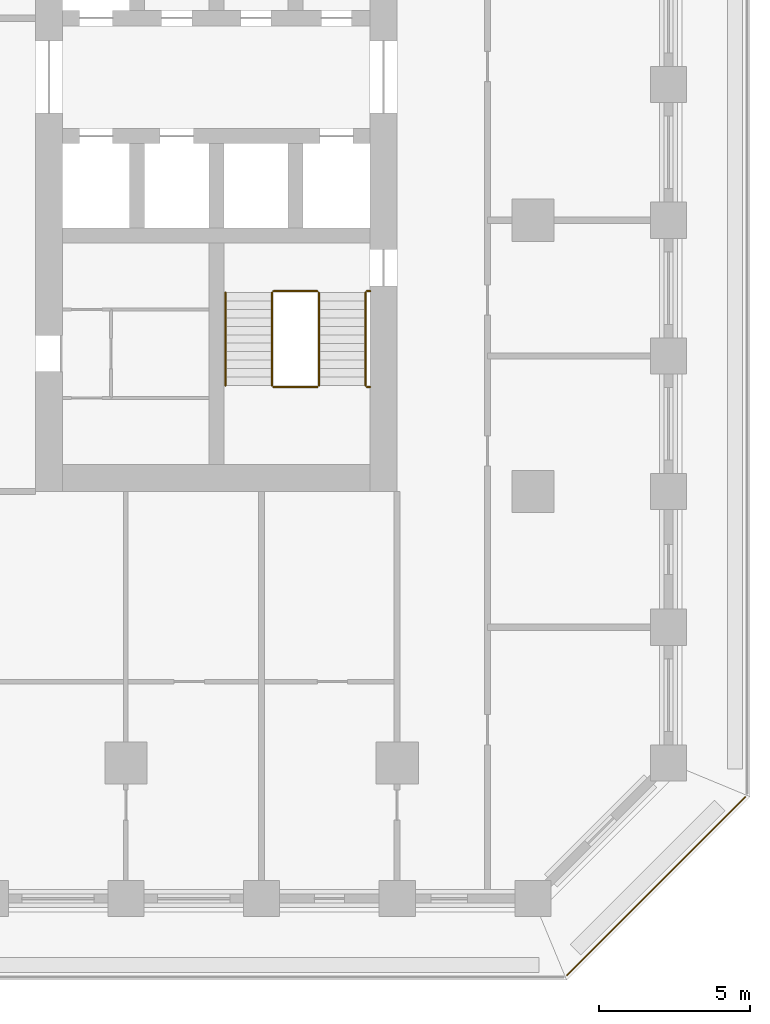
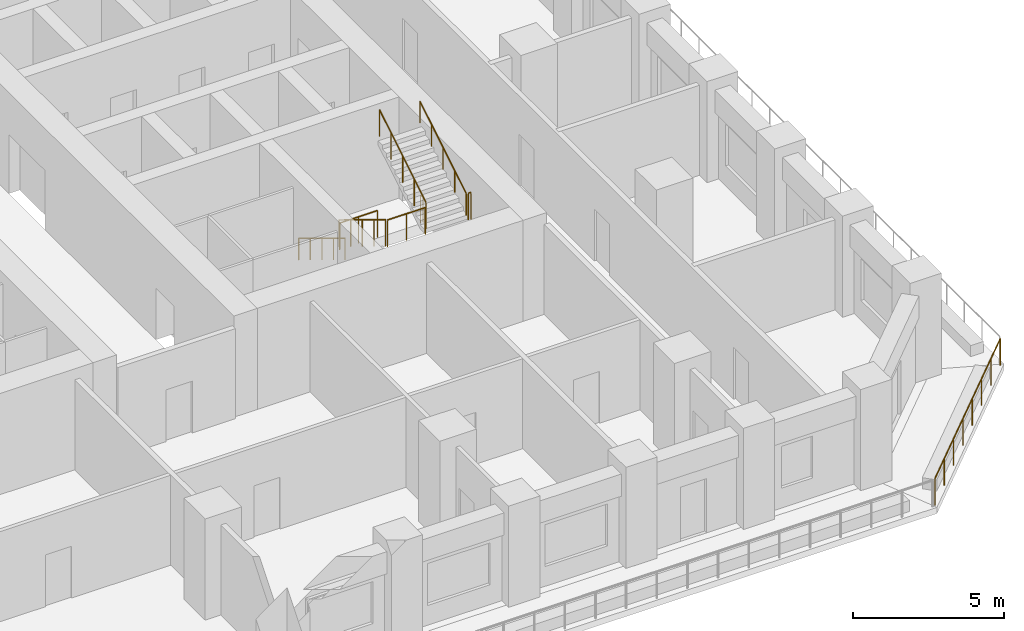
# One storey, part 11 of 16: 9 railings.
"""IFC4 building model written with IfcOpenShell, lengths in metres."""

from ifc_helpers import new_model, si_unit, direction, frame, origin, origin_2d, place, context, subcontext, project, spatial, circle, extrude, material, type_object, element, save


model = new_model("IFC4")

# Units and contexts
model_context = context("Model", 3, precision=1e-05, world=origin(), true_north=direction((0.0, 1.0)))
body_context = subcontext(model_context, "Body", "Model", "MODEL_VIEW")
ifc_project = project(units=[si_unit("LENGTHUNIT", "METRE"), si_unit("AREAUNIT", "SQUARE_METRE"), si_unit("VOLUMEUNIT", "CUBIC_METRE"), si_unit("PLANEANGLEUNIT", "RADIAN"), si_unit("MASSUNIT", "GRAM", prefix="KILO")], contexts=[model_context])

# Site, building, storey
site_placement = place(None, origin())
site = spatial("IfcSite", under=ifc_project, at=site_placement, CompositionType="ELEMENT")
building_placement = place(site_placement, origin())
building = spatial("IfcBuilding", under=site, at=building_placement, Name="Corbel Stack Research Tower", CompositionType="ELEMENT")
storey_placement = place(building_placement, frame((0.0, 0.0, 120.800048828125)))
storey = spatial("IfcBuildingStorey", under=building, at=storey_placement, Name="L27", CompositionType="ELEMENT", Elevation=120.800048828125)

# Railings
ifc_material_1 = material(Name="Steel S355", Category="steel")
railing_type_1 = type_object("IfcRailingType", Name="Stair guard 1100", PredefinedType="GUARDRAIL", material=ifc_material_1)
railing_1_placement = place(storey_placement, frame((13.85009765625, -2.39990234375, 0.1708984375)))
element("IfcRailing", 1, at=railing_1_placement, inside=storey, type_object=railing_type_1, Name="L27 ST-E1 stair guard 1", PredefinedType="GUARDRAIL", context=body_context, shape_type="SweptSolid", body=[
    extrude(circle(Radius=0.02392578125, at=origin_2d()), frame((0.0, 0.0, 1.076171875), z_axis=(0.0, -0.853666305674, 0.52082035152), x_axis=(1.0, 0.0, 0.0)), (0.0, 0.0, 1.0), 3.608154296875),
    extrude(circle(Radius=0.02099609375, at=origin_2d()), origin(), (0.0, 0.0, 1.0), 1.052001953125),
    extrude(circle(Radius=0.02099609375, at=origin_2d()), frame((0.0, -0.77001953125, 0.4697265625)), (0.0, 0.0, 1.0), 1.052001953125),
    extrude(circle(Radius=0.02099609375, at=origin_2d()), frame((0.0, -1.5400390625, 0.939453125)), (0.0, 0.0, 1.0), 1.052001953125),
    extrude(circle(Radius=0.02099609375, at=origin_2d()), frame((0.0, -2.31005859375, 1.409423828125)), (0.0, 0.0, 1.0), 1.052001953125),
    extrude(circle(Radius=0.02099609375, at=origin_2d()), frame((0.0, -3.080078125, 1.879150390625)), (0.0, 0.0, 1.0), 1.052001953125),
])
railing_2_placement = place(storey_placement, frame((13.89990234375, -5.530029296875, 2.050048828125)))
element("IfcRailing", 2, at=railing_2_placement, inside=storey, type_object=railing_type_1, Name="L27 ST-E1 stair guard 2", PredefinedType="GUARDRAIL", context=body_context, shape_type="SweptSolid", body=[
    extrude(circle(Radius=0.02392578125, at=origin_2d()), frame((0.0, 0.0, 1.076171875), z_axis=(1.0, 0.0, 0.0), x_axis=(0.0, 1.0, 0.0)), (0.0, 0.0, 1.0), 1.4501953125),
    extrude(circle(Radius=0.02099609375, at=origin_2d()), origin(), (0.0, 0.0, 1.0), 1.052001953125),
    extrude(circle(Radius=0.02099609375, at=origin_2d()), frame((0.72509765625, 0.0, 0.0)), (0.0, 0.0, 1.0), 1.052001953125),
    extrude(circle(Radius=0.02099609375, at=origin_2d()), frame((1.4501953125, 0.0, 0.0)), (0.0, 0.0, 1.0), 1.052001953125),
])
railing_3_placement = place(storey_placement, frame((17.0, -5.530029296875, 2.050048828125)))
element("IfcRailing", 3, at=railing_3_placement, inside=storey, type_object=railing_type_1, Name="L27 ST-E1 stair guard 3", PredefinedType="GUARDRAIL", context=body_context, shape_type="SweptSolid", body=[
    extrude(circle(Radius=0.02392578125, at=origin_2d()), frame((0.0, 0.0, 1.076171875), z_axis=(1.0, 0.0, 0.0), x_axis=(0.0, 1.0, 0.0)), (0.0, 0.0, 1.0), 0.10009765625),
    extrude(circle(Radius=0.02099609375, at=origin_2d()), origin(), (0.0, 0.0, 1.0), 1.052001953125),
    extrude(circle(Radius=0.02099609375, at=origin_2d()), frame((0.10009765625, 0.0, 0.0)), (0.0, 0.0, 1.0), 1.052001953125),
])
railing_4_placement = place(storey_placement, frame((15.39990234375, -5.47998046875, 2.220703125)))
element("IfcRailing", 4, at=railing_4_placement, inside=storey, type_object=railing_type_1, Name="L27 ST-E1 stair guard 4", PredefinedType="GUARDRAIL", context=body_context, shape_type="SweptSolid", body=[
    extrude(circle(Radius=0.02392578125, at=origin_2d()), frame((0.0, 0.0, 1.076171875), z_axis=(0.0, 0.853666305674, 0.52082035152), x_axis=(-1.0, 0.0, 0.0)), (0.0, 0.0, 1.0), 3.608154296875),
    extrude(circle(Radius=0.02099609375, at=origin_2d()), origin(), (0.0, 0.0, 1.0), 1.052001953125),
    extrude(circle(Radius=0.02099609375, at=origin_2d()), frame((0.0, 0.77001953125, 0.4697265625)), (0.0, 0.0, 1.0), 1.052001953125),
    extrude(circle(Radius=0.02099609375, at=origin_2d()), frame((0.0, 1.5400390625, 0.939453125)), (0.0, 0.0, 1.0), 1.052001953125),
    extrude(circle(Radius=0.02099609375, at=origin_2d()), frame((0.0, 2.31005859375, 1.409423828125)), (0.0, 0.0, 1.0), 1.052001953125),
    extrude(circle(Radius=0.02099609375, at=origin_2d()), frame((0.0, 3.080078125, 1.879150390625)), (0.0, 0.0, 1.0), 1.052001953125),
])
railing_5_placement = place(storey_placement, frame((13.89990234375, -2.35009765625, 0.0)))
element("IfcRailing", 5, at=railing_5_placement, inside=storey, type_object=railing_type_1, Name="L27 ST-E1 stair guard 5", PredefinedType="GUARDRAIL", context=body_context, shape_type="SweptSolid", body=[
    extrude(circle(Radius=0.02392578125, at=origin_2d()), frame((0.0, 0.0, 1.076171875), z_axis=(1.0, 0.0, 0.0), x_axis=(0.0, 1.0, 0.0)), (0.0, 0.0, 1.0), 1.4501953125),
    extrude(circle(Radius=0.02099609375, at=origin_2d()), origin(), (0.0, 0.0, 1.0), 1.052001953125),
    extrude(circle(Radius=0.02099609375, at=origin_2d()), frame((0.72509765625, 0.0, 0.0)), (0.0, 0.0, 1.0), 1.052001953125),
    extrude(circle(Radius=0.02099609375, at=origin_2d()), frame((1.4501953125, 0.0, 0.0)), (0.0, 0.0, 1.0), 1.052001953125),
])
railing_6_placement = place(storey_placement, frame((17.0, -2.35009765625, 0.0)))
element("IfcRailing", 6, at=railing_6_placement, inside=storey, type_object=railing_type_1, Name="L27 ST-E1 stair guard 6", PredefinedType="GUARDRAIL", context=body_context, shape_type="SweptSolid", body=[
    extrude(circle(Radius=0.02392578125, at=origin_2d()), frame((0.0, 0.0, 1.076171875), z_axis=(1.0, 0.0, 0.0), x_axis=(0.0, 1.0, 0.0)), (0.0, 0.0, 1.0), 0.10009765625),
    extrude(circle(Radius=0.02099609375, at=origin_2d()), origin(), (0.0, 0.0, 1.0), 1.052001953125),
    extrude(circle(Radius=0.02099609375, at=origin_2d()), frame((0.10009765625, 0.0, 0.0)), (0.0, 0.0, 1.0), 1.052001953125),
])
ifc_material_2 = material(Name="Steel S355", Category="steel")
railing_type_2 = type_object("IfcRailingType", Name="Stair handrail 900", PredefinedType="HANDRAIL", material=ifc_material_2)
railing_7_placement = place(storey_placement, frame((12.300048828125, -2.39990234375, 0.1708984375)))
element("IfcRailing", 7, at=railing_7_placement, inside=storey, type_object=railing_type_2, Name="L27 ST-E1 stair handrail 1", PredefinedType="HANDRAIL", context=body_context, shape_type="SweptSolid", body=[
    extrude(circle(Radius=0.02392578125, at=origin_2d()), frame((0.0, 0.0, 0.8759765625), z_axis=(0.0, -0.853666305674, 0.52082035152), x_axis=(1.0, 0.0, 0.0)), (0.0, 0.0, 1.0), 3.608154296875),
    extrude(circle(Radius=0.02099609375, at=origin_2d()), origin(), (0.0, 0.0, 1.0), 0.851806640625),
    extrude(circle(Radius=0.02099609375, at=origin_2d()), frame((0.0, -0.77001953125, 0.4697265625)), (0.0, 0.0, 1.0), 0.851806640625),
    extrude(circle(Radius=0.02099609375, at=origin_2d()), frame((0.0, -1.5400390625, 0.939453125)), (0.0, 0.0, 1.0), 0.851806640625),
    extrude(circle(Radius=0.02099609375, at=origin_2d()), frame((0.0, -2.31005859375, 1.409423828125)), (0.0, 0.0, 1.0), 0.851806640625),
    extrude(circle(Radius=0.02099609375, at=origin_2d()), frame((0.0, -3.080078125, 1.879150390625)), (0.0, 0.0, 1.0), 0.851806640625),
])
railing_8_placement = place(storey_placement, frame((16.949951171875, -5.47998046875, 2.220703125)))
element("IfcRailing", 8, at=railing_8_placement, inside=storey, type_object=railing_type_2, Name="L27 ST-E1 stair handrail 2", PredefinedType="HANDRAIL", context=body_context, shape_type="SweptSolid", body=[
    extrude(circle(Radius=0.02392578125, at=origin_2d()), frame((0.0, 0.0, 0.8759765625), z_axis=(0.0, 0.853666305674, 0.52082035152), x_axis=(-1.0, 0.0, 0.0)), (0.0, 0.0, 1.0), 3.608154296875),
    extrude(circle(Radius=0.02099609375, at=origin_2d()), origin(), (0.0, 0.0, 1.0), 0.851806640625),
    extrude(circle(Radius=0.02099609375, at=origin_2d()), frame((0.0, 0.77001953125, 0.4697265625)), (0.0, 0.0, 1.0), 0.851806640625),
    extrude(circle(Radius=0.02099609375, at=origin_2d()), frame((0.0, 1.5400390625, 0.939453125)), (0.0, 0.0, 1.0), 0.851806640625),
    extrude(circle(Radius=0.02099609375, at=origin_2d()), frame((0.0, 2.31005859375, 1.409423828125)), (0.0, 0.0, 1.0), 0.851806640625),
    extrude(circle(Radius=0.02099609375, at=origin_2d()), frame((0.0, 3.080078125, 1.879150390625)), (0.0, 0.0, 1.0), 0.851806640625),
])
ifc_material_3 = material(Name="Powder-coated steel guard", Category="steel")
railing_type_3 = type_object("IfcRailingType", Name="Steel and glass guard 1100", PredefinedType="GUARDRAIL", material=ifc_material_3)
railing_9_placement = place(storey_placement, frame((23.627685546875, -25.04931640625, 0.0)))
element("IfcRailing", 9, at=railing_9_placement, inside=storey, type_object=railing_type_3, Name="Loggia guard L27 SE", PredefinedType="GUARDRAIL", context=body_context, shape_type="SweptSolid", body=[
    extrude(circle(Radius=0.02392578125, at=origin_2d()), frame((0.0, 0.0, 1.076171875), z_axis=(0.707106781187, 0.707106781187, 0.0), x_axis=(-0.707106781187, 0.707106781187, 0.0)), (0.0, 0.0, 1.0), 8.37451171875),
    extrude(circle(Radius=0.02099609375, at=origin_2d()), origin(), (0.0, 0.0, 1.0), 1.052001953125),
    extrude(circle(Radius=0.02099609375, at=origin_2d()), frame((0.845947265625, 0.845947265625, 0.0)), (0.0, 0.0, 1.0), 1.052001953125),
    extrude(circle(Radius=0.02099609375, at=origin_2d()), frame((1.69189453125, 1.69189453125, 0.0)), (0.0, 0.0, 1.0), 1.052001953125),
    extrude(circle(Radius=0.02099609375, at=origin_2d()), frame((2.537841796875, 2.537841796875, 0.0)), (0.0, 0.0, 1.0), 1.052001953125),
    extrude(circle(Radius=0.02099609375, at=origin_2d()), frame((3.3837890625, 3.3837890625, 0.0)), (0.0, 0.0, 1.0), 1.052001953125),
    extrude(circle(Radius=0.02099609375, at=origin_2d()), frame((4.229736328125, 4.229736328125, 0.0)), (0.0, 0.0, 1.0), 1.052001953125),
    extrude(circle(Radius=0.02099609375, at=origin_2d()), frame((5.07568359375, 5.07568359375, 0.0)), (0.0, 0.0, 1.0), 1.052001953125),
    extrude(circle(Radius=0.02099609375, at=origin_2d()), frame((5.921630859375, 5.921630859375, 0.0)), (0.0, 0.0, 1.0), 1.052001953125),
])

save(model, "model.ifc")
